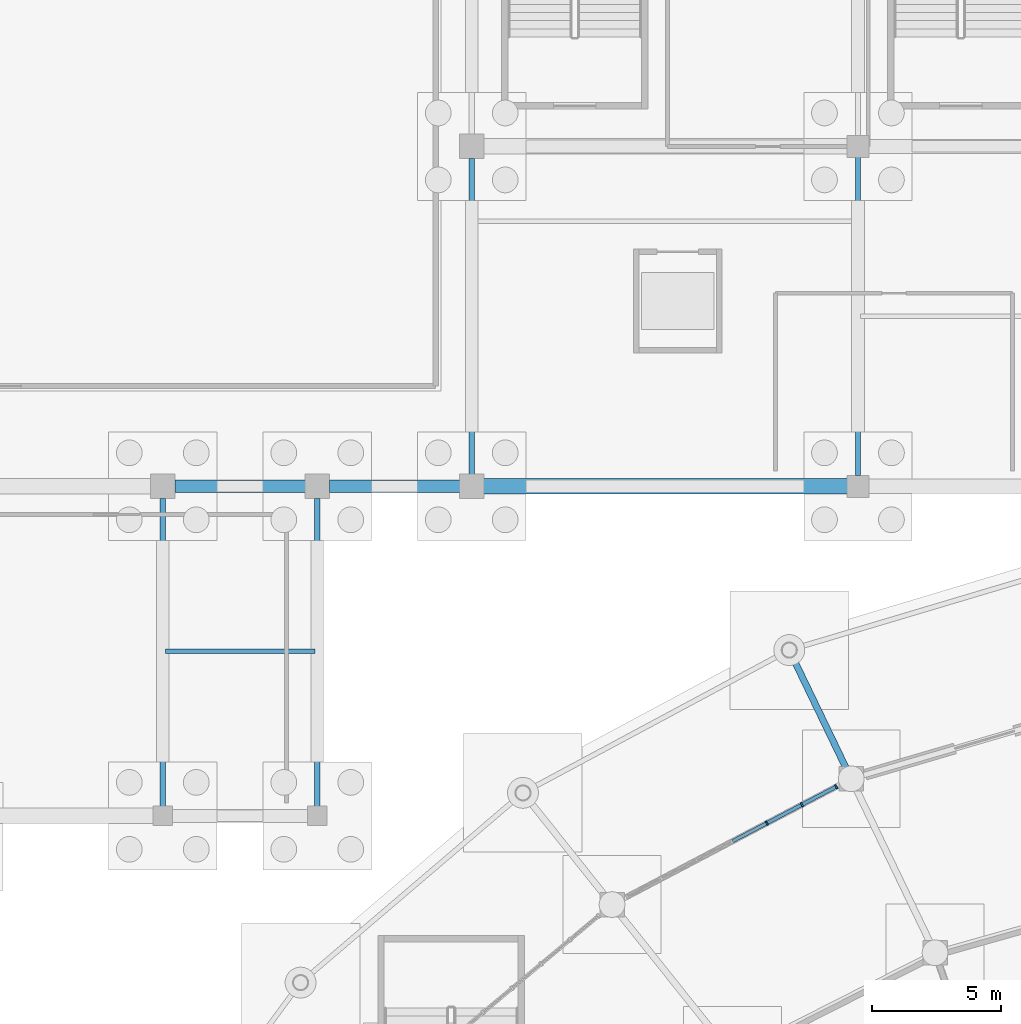
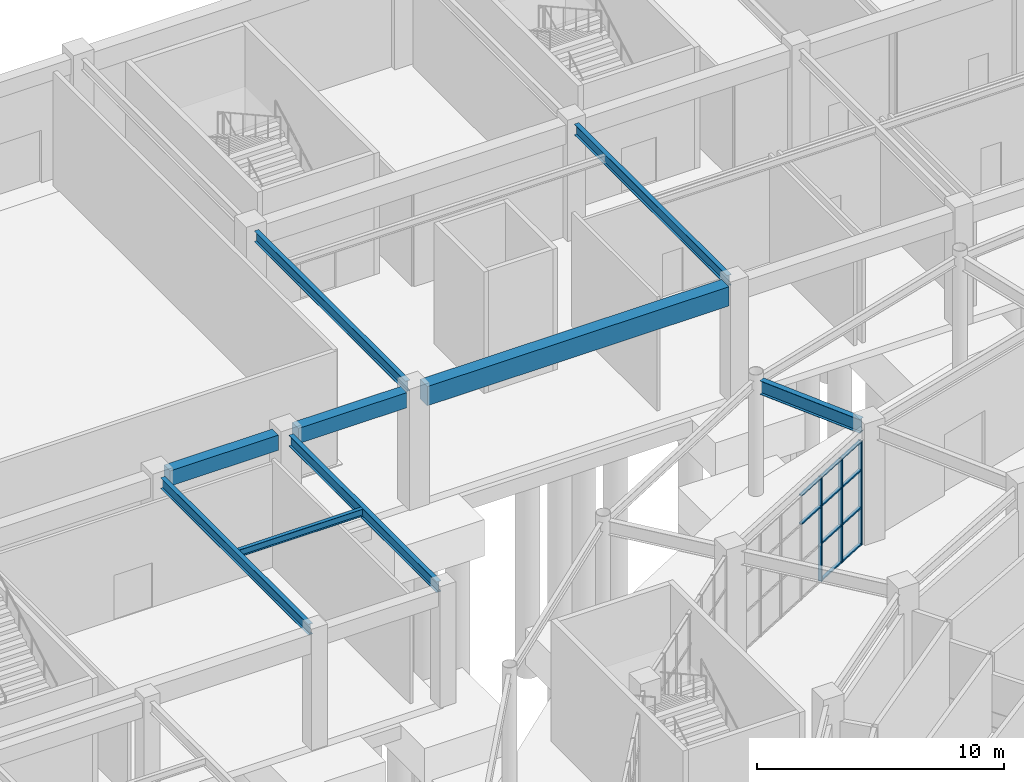
# One storey, part 44 of 121: 13 members, 9 beams, 1 element without a shape of its own.
"""IFC4 building model written with IfcOpenShell, lengths in metres."""

from ifc_helpers import new_model, si_unit, direction, frame, origin, origin_2d, place, context, subcontext, project, spatial, rectangle, i_section, extrude, material, material_profile, profile_set, type_object, element, aggregate, save


model = new_model("IFC4")

# Units and contexts
model_context = context("Model", 3, precision=1e-05, world=origin(), true_north=direction((0.0, 1.0)))
body_context = subcontext(model_context, "Body", "Model", "MODEL_VIEW")
ifc_project = project(units=[si_unit("LENGTHUNIT", "METRE"), si_unit("AREAUNIT", "SQUARE_METRE"), si_unit("VOLUMEUNIT", "CUBIC_METRE"), si_unit("PLANEANGLEUNIT", "RADIAN"), si_unit("MASSUNIT", "GRAM", prefix="KILO")], contexts=[model_context])

# Site, building, storey
site_placement = place(None, origin())
site = spatial("IfcSite", under=ifc_project, at=site_placement, CompositionType="ELEMENT")
building_placement = place(site_placement, origin())
building = spatial("IfcBuilding", under=site, at=building_placement, Name="Cuetzalor Civic Arena", CompositionType="ELEMENT")
storey_placement = place(building_placement, origin())
storey = spatial("IfcBuildingStorey", under=building, at=storey_placement, Name="L00", CompositionType="ELEMENT", Elevation=0.0)

# Beams
ifc_material_1 = material(Name="Concrete C40/50", Category="concrete")
ifc_material_profile_1 = material_profile(ifc_material_1, rectangle(XDim=0.5, YDim=0.75, at=origin_2d()), Name="RC 500x750")
ifc_profile_set_1 = profile_set([ifc_material_profile_1], Name="Concrete C40/50")
beam_type_1 = type_object("IfcBeamType", Name="ConcreteFrameBeam_500x750", PredefinedType="BEAM", material=ifc_profile_set_1)
for number, where, z_axis, x_axis, name in (
    (1, (-47.534912109375, 48.300048828125, 5.324951171875), (1.0, 0.0, 0.0), (0.0, 1.0, 0.0), "Frame Girder V5-L00-X0221"),
    (2, (-41.534912109375, 48.300048828125, 5.324951171875), (1.0, 0.0, 0.0), (0.0, 1.0, 0.0), "Frame Girder V5-L00-X0222"),
):
    element("IfcBeam", number, at=place(storey_placement, frame(where, z_axis=z_axis, x_axis=x_axis)), inside=storey, type_object=beam_type_1, Name=name, PredefinedType="BEAM", context=body_context, shape_type="SweptSolid", body=[
        extrude(rectangle(XDim=0.5, YDim=0.75, at=origin_2d()), origin(), (0.0, 0.0, 1.0), 5.06982421875),
    ])
ifc_material_2 = material(Name="Concrete C40/50", Category="concrete")
ifc_material_profile_2 = material_profile(ifc_material_2, rectangle(XDim=0.60009765625, YDim=0.949951171875, at=origin_2d()), Name="RC 600x950")
ifc_profile_set_2 = profile_set([ifc_material_profile_2], Name="Concrete C40/50")
beam_type_2 = type_object("IfcBeamType", Name="ConcreteFrameBeam_600x950", PredefinedType="BEAM", material=ifc_profile_set_2)
beam_1_placement = place(storey_placement, frame((-35.534912109375, 48.300048828125, 5.22509765625), z_axis=(1.0, 0.0, 0.0), x_axis=(0.0, 1.0, 0.0)))
element("IfcBeam", 3, at=beam_1_placement, inside=storey, type_object=beam_type_2, Name="Frame Girder V5-L00-X0223", PredefinedType="BEAM", context=body_context, shape_type="SweptSolid", body=[
    extrude(rectangle(XDim=0.60009765625, YDim=0.949951171875, at=origin_2d()), origin(), (0.0, 0.0, 1.0), 14.119873046875),
])

# Curtain wall, members
ifc_material_3 = material(Name="Anodised dark bronze aluminium and low-E solar glass", Category="aluminium")
curtain_wall_type = type_object("IfcCurtainWallType", Name="UnitisedCW_9250x5150", PredefinedType="USERDEFINED", material=ifc_material_3)
curtain_wall_placement = place(storey_placement, origin())
curtain_wall = element("IfcCurtainWall", 4, at=curtain_wall_placement, inside=storey, type_object=curtain_wall_type, Name="Drum Ground Recessed Concourse Curtain Wall L00-007", ObjectType="UNITISED CURTAIN WALL", PredefinedType="USERDEFINED")
ifc_material_4 = material(Name="Anodised dark bronze aluminium", Category="aluminium")
ifc_material_profile_3 = material_profile(ifc_material_4, rectangle(XDim=0.070068359375, YDim=0.179931640625, at=origin_2d()), Name="ALU MULLION 70x180")
ifc_profile_set_3 = profile_set([ifc_material_profile_3], Name="Anodised dark bronze aluminium")
member_type_1 = type_object("IfcMemberType", Name="CurtainWallMullion_65x180", PredefinedType="MULLION", material=ifc_profile_set_3)
member_1_placement = place(storey_placement, frame((-24.541259765625, 35.21484375, 0.0), z_axis=(0.0, 0.0, 1.0), x_axis=(0.885118421147, 0.465365856662, 0.0)))
member_1 = element("IfcMember", 5, at=member_1_placement, type_object=member_type_1, Name="CW-04 mullion 5", PredefinedType="MULLION", context=body_context, shape_type="SweptSolid", body=[
    extrude(rectangle(XDim=0.070068359375, YDim=0.179931640625, at=origin_2d()), origin(), (0.0, 0.0, 1.0), 5.156982421875),
])
member_2_placement = place(storey_placement, frame((-23.1767578125, 35.93212890625, 0.0), z_axis=(0.0, 0.0, 1.0), x_axis=(0.885118421147, 0.465365856662, 0.0)))
member_2 = element("IfcMember", 6, at=member_2_placement, type_object=member_type_1, Name="CW-04 mullion 6", PredefinedType="MULLION", context=body_context, shape_type="SweptSolid", body=[
    extrude(rectangle(XDim=0.070068359375, YDim=0.179931640625, at=origin_2d()), origin(), (0.0, 0.0, 1.0), 5.156982421875),
])
member_3_placement = place(storey_placement, frame((-21.84326171875, 36.63330078125, 0.0), z_axis=(0.0, 0.0, 1.0), x_axis=(0.885118421147, 0.465365856662, 0.0)))
member_3 = element("IfcMember", 7, at=member_3_placement, type_object=member_type_1, Name="CW-04 mullion 7", PredefinedType="MULLION", context=body_context, shape_type="SweptSolid", body=[
    extrude(rectangle(XDim=0.070068359375, YDim=0.179931640625, at=origin_2d()), origin(), (0.0, 0.0, 1.0), 5.156982421875),
])
ifc_material_5 = material(Name="Anodised dark bronze aluminium", Category="aluminium")
ifc_material_profile_4 = material_profile(ifc_material_5, rectangle(XDim=0.139892578125, YDim=0.070068359375, at=origin_2d()), Name="ALU TRANSOM 70x140")
ifc_profile_set_4 = profile_set([ifc_material_profile_4], Name="Anodised dark bronze aluminium")
member_type_2 = type_object("IfcMemberType", Name="CurtainWallTransom_65x140", PredefinedType="USERDEFINED", material=ifc_profile_set_4)
member_4_placement = place(storey_placement, frame((-25.874755859375, 34.513671875, 3.712890625), z_axis=(0.885116079734, 0.465370309963, 0.0), x_axis=(-0.465370309963, 0.885116079734, 0.0)))
member_4 = element("IfcMember", 8, at=member_4_placement, type_object=member_type_2, Name="CW-04 transom 4.3", ObjectType="TRANSOM", PredefinedType="USERDEFINED", context=body_context, shape_type="SweptSolid", body=[
    extrude(rectangle(XDim=0.139892578125, YDim=0.070068359375, at=origin_2d()), origin(), (0.0, 0.0, 1.0), 1.471435546875),
])
member_5_placement = place(storey_placement, frame((-25.874755859375, 34.513671875, 5.1220703125), z_axis=(0.885116079734, 0.465370309963, 0.0), x_axis=(-0.465370309963, 0.885116079734, 0.0)))
member_5 = element("IfcMember", 9, at=member_5_placement, type_object=member_type_2, Name="CW-04 transom 4.4", ObjectType="TRANSOM", PredefinedType="USERDEFINED", context=body_context, shape_type="SweptSolid", body=[
    extrude(rectangle(XDim=0.139892578125, YDim=0.070068359375, at=origin_2d()), origin(), (0.0, 0.0, 1.0), 1.471435546875),
])
member_6_placement = place(storey_placement, frame((-24.51025390625, 35.231201171875, 0.034912109375), z_axis=(0.885116079734, 0.465370309963, 0.0), x_axis=(-0.465370309963, 0.885116079734, 0.0)))
member_6 = element("IfcMember", 10, at=member_6_placement, type_object=member_type_2, Name="CW-04 transom 5.1", ObjectType="TRANSOM", PredefinedType="USERDEFINED", context=body_context, shape_type="SweptSolid", body=[
    extrude(rectangle(XDim=0.139892578125, YDim=0.070068359375, at=origin_2d()), origin(), (0.0, 0.0, 1.0), 1.471435546875),
])
member_7_placement = place(storey_placement, frame((-24.51025390625, 35.231201171875, 1.85693359375), z_axis=(0.885116079734, 0.465370309963, 0.0), x_axis=(-0.465370309963, 0.885116079734, 0.0)))
member_7 = element("IfcMember", 11, at=member_7_placement, type_object=member_type_2, Name="CW-04 transom 5.2", ObjectType="TRANSOM", PredefinedType="USERDEFINED", context=body_context, shape_type="SweptSolid", body=[
    extrude(rectangle(XDim=0.139892578125, YDim=0.070068359375, at=origin_2d()), origin(), (0.0, 0.0, 1.0), 1.471435546875),
])
member_8_placement = place(storey_placement, frame((-24.51025390625, 35.231201171875, 3.712890625), z_axis=(0.885116079734, 0.465370309963, 0.0), x_axis=(-0.465370309963, 0.885116079734, 0.0)))
member_8 = element("IfcMember", 12, at=member_8_placement, type_object=member_type_2, Name="CW-04 transom 5.3", ObjectType="TRANSOM", PredefinedType="USERDEFINED", context=body_context, shape_type="SweptSolid", body=[
    extrude(rectangle(XDim=0.139892578125, YDim=0.070068359375, at=origin_2d()), origin(), (0.0, 0.0, 1.0), 1.471435546875),
])
member_9_placement = place(storey_placement, frame((-24.51025390625, 35.231201171875, 5.1220703125), z_axis=(0.885116079734, 0.465370309963, 0.0), x_axis=(-0.465370309963, 0.885116079734, 0.0)))
member_9 = element("IfcMember", 13, at=member_9_placement, type_object=member_type_2, Name="CW-04 transom 5.4", ObjectType="TRANSOM", PredefinedType="USERDEFINED", context=body_context, shape_type="SweptSolid", body=[
    extrude(rectangle(XDim=0.139892578125, YDim=0.070068359375, at=origin_2d()), origin(), (0.0, 0.0, 1.0), 1.471435546875),
])
member_10_placement = place(storey_placement, frame((-23.145751953125, 35.948486328125, 0.034912109375), z_axis=(0.885131956894, 0.465340110978, 0.0), x_axis=(-0.465340110978, 0.885131956894, 0.0)))
member_10 = element("IfcMember", 14, at=member_10_placement, type_object=member_type_2, Name="CW-04 transom 6.1", ObjectType="TRANSOM", PredefinedType="USERDEFINED", context=body_context, shape_type="SweptSolid", body=[
    extrude(rectangle(XDim=0.139892578125, YDim=0.070068359375, at=origin_2d()), origin(), (0.0, 0.0, 1.0), 1.4365234375),
])
member_11_placement = place(storey_placement, frame((-23.145751953125, 35.948486328125, 1.85693359375), z_axis=(0.885131956894, 0.465340110978, 0.0), x_axis=(-0.465340110978, 0.885131956894, 0.0)))
member_11 = element("IfcMember", 15, at=member_11_placement, type_object=member_type_2, Name="CW-04 transom 6.2", ObjectType="TRANSOM", PredefinedType="USERDEFINED", context=body_context, shape_type="SweptSolid", body=[
    extrude(rectangle(XDim=0.139892578125, YDim=0.070068359375, at=origin_2d()), origin(), (0.0, 0.0, 1.0), 1.4365234375),
])
member_12_placement = place(storey_placement, frame((-23.145751953125, 35.948486328125, 3.712890625), z_axis=(0.885131956894, 0.465340110978, 0.0), x_axis=(-0.465340110978, 0.885131956894, 0.0)))
member_12 = element("IfcMember", 16, at=member_12_placement, type_object=member_type_2, Name="CW-04 transom 6.3", ObjectType="TRANSOM", PredefinedType="USERDEFINED", context=body_context, shape_type="SweptSolid", body=[
    extrude(rectangle(XDim=0.139892578125, YDim=0.070068359375, at=origin_2d()), origin(), (0.0, 0.0, 1.0), 1.4365234375),
])
member_13_placement = place(storey_placement, frame((-23.145751953125, 35.948486328125, 5.1220703125), z_axis=(0.885131956894, 0.465340110978, 0.0), x_axis=(-0.465340110978, 0.885131956894, 0.0)))
member_13 = element("IfcMember", 17, at=member_13_placement, type_object=member_type_2, Name="CW-04 transom 6.4", ObjectType="TRANSOM", PredefinedType="USERDEFINED", context=body_context, shape_type="SweptSolid", body=[
    extrude(rectangle(XDim=0.139892578125, YDim=0.070068359375, at=origin_2d()), origin(), (0.0, 0.0, 1.0), 1.4365234375),
])
aggregate(curtain_wall, [member_1, member_2, member_3, member_4, member_5, member_6, member_7, member_8, member_9, member_10, member_11, member_12, member_13])

# Beams
ifc_material_6 = material(Name="Steel S355", Category="steel")
ifc_material_profile_5 = material_profile(ifc_material_6, i_section(OverallWidth=0.1708984375, OverallDepth=0.35498046875, WebThickness=0.007080078125, FlangeThickness=0.01171875, at=origin_2d()), Name="W360x51")
ifc_profile_set_5 = profile_set([ifc_material_profile_5], Name="Steel S355")
beam_type_3 = type_object("IfcBeamType", Name="SecondaryFloorJoist_W360", PredefinedType="JOIST", material=ifc_profile_set_5)
beam_2_placement = place(storey_placement, frame((-47.903564453125, 41.89990234375, 5.5224609375), z_axis=(1.0, 0.0, 0.0), x_axis=(0.0, 1.0, 0.0)))
element("IfcBeam", 18, at=beam_2_placement, inside=storey, type_object=beam_type_3, Name="Secondary Floor Joist V5-L00-0072", PredefinedType="JOIST", context=body_context, shape_type="SweptSolid", body=[
    extrude(i_section(OverallWidth=0.1708984375, OverallDepth=0.35498046875, WebThickness=0.007080078125, FlangeThickness=0.01171875, at=origin_2d()), origin(), (0.0, 0.0, 1.0), 5.80712890625),
])
ifc_material_7 = material(Name="Steel S355", Category="steel")
ifc_material_profile_6 = material_profile(ifc_material_7, i_section(OverallWidth=0.208984375, OverallDepth=0.532958984375, WebThickness=0.01025390625, FlangeThickness=0.015625, at=origin_2d()), Name="W530x92")
ifc_profile_set_6 = profile_set([ifc_material_profile_6], Name="Steel S355")
beam_type_4 = type_object("IfcBeamType", Name="SteelCollarGirder_W530", PredefinedType="BEAM", material=ifc_profile_set_6)
for number, where, z_axis, x_axis, name in (
    (19, (-48.0, 35.864990234375, 5.43359375), (0.0, 1.0, 0.0), (-1.0, 0.0, 0.0), "Frame Girder V5-L00-Y0261"),
    (20, (-42.0, 35.864990234375, 5.43359375), (0.0, 1.0, 0.0), (-1.0, 0.0, 0.0), "Frame Girder V5-L00-Y0262"),
):
    element("IfcBeam", number, at=place(storey_placement, frame(where, z_axis=z_axis, x_axis=x_axis)), inside=storey, type_object=beam_type_4, Name=name, PredefinedType="BEAM", context=body_context, shape_type="SweptSolid", body=[
        extrude(i_section(OverallWidth=0.208984375, OverallDepth=0.532958984375, WebThickness=0.01025390625, FlangeThickness=0.015625, at=origin_2d()), origin(), (0.0, 0.0, 1.0), 11.969970703125),
    ])
beam_3_placement = place(storey_placement, frame((-36.0, 48.764892578125, 5.43359375), z_axis=(0.0, 1.0, 0.0), x_axis=(-1.0, 0.0, 0.0)))
element("IfcBeam", 21, at=beam_3_placement, inside=storey, type_object=beam_type_4, Name="Frame Girder V5-L00-Y0263", PredefinedType="BEAM", context=body_context, shape_type="SweptSolid", body=[
    extrude(i_section(OverallWidth=0.208984375, OverallDepth=0.532958984375, WebThickness=0.01025390625, FlangeThickness=0.015625, at=origin_2d()), origin(), (0.0, 0.0, 1.0), 12.27001953125),
])
beam_4_placement = place(storey_placement, frame((-21.0, 48.715087890625, 5.43359375), z_axis=(0.0, 1.0, 0.0), x_axis=(-1.0, 0.0, 0.0)))
element("IfcBeam", 22, at=beam_4_placement, inside=storey, type_object=beam_type_4, Name="Frame Girder V5-L00-Y0265", PredefinedType="BEAM", context=body_context, shape_type="SweptSolid", body=[
    extrude(i_section(OverallWidth=0.208984375, OverallDepth=0.532958984375, WebThickness=0.01025390625, FlangeThickness=0.015625, at=origin_2d()), origin(), (0.0, 0.0, 1.0), 12.369873046875),
])
ifc_material_8 = material(Name="Steel S355", Category="steel")
ifc_material_profile_7 = material_profile(ifc_material_8, i_section(OverallWidth=0.2529296875, OverallDepth=0.677978515625, WebThickness=0.01171875, FlangeThickness=0.016357421875, at=origin_2d()), Name="W690x125")
ifc_profile_set_7 = profile_set([ifc_material_profile_7], Name="Steel S355")
beam_type_5 = type_object("IfcBeamType", Name="SteelPrimaryGirder_W690", PredefinedType="BEAM", material=ifc_profile_set_7)
beam_5_placement = place(storey_placement, frame((-21.41650390625, 37.263916015625, 5.361083984375), z_axis=(-0.433871046232, 0.900974980364, 0.0), x_axis=(-0.900974980364, -0.433871046232, 0.0)))
element("IfcBeam", 23, at=beam_5_placement, inside=storey, type_object=beam_type_5, Name="Drum Radial Girder L00-R10", PredefinedType="BEAM", context=body_context, shape_type="SweptSolid", body=[
    extrude(i_section(OverallWidth=0.2529296875, OverallDepth=0.677978515625, WebThickness=0.01171875, FlangeThickness=0.016357421875, at=origin_2d()), origin(), (0.0, 0.0, 1.0), 4.89990234375),
])

save(model, "model.ifc")
